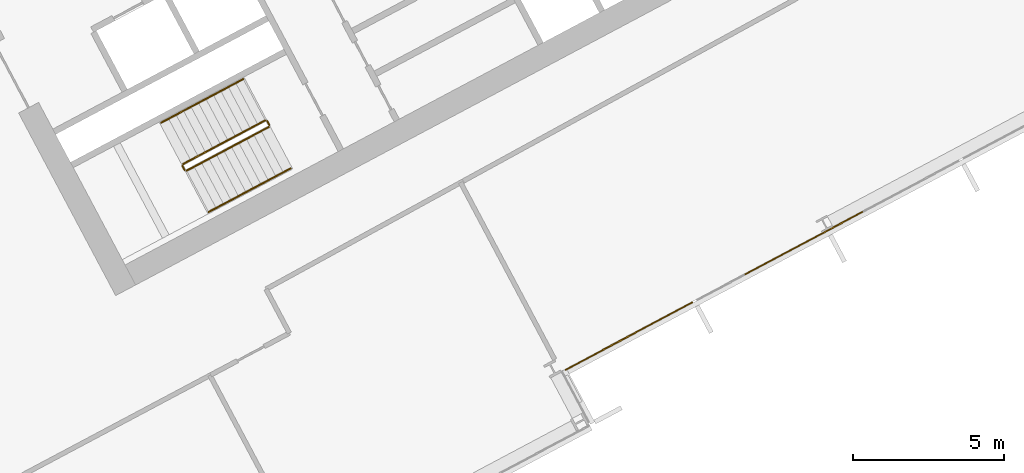
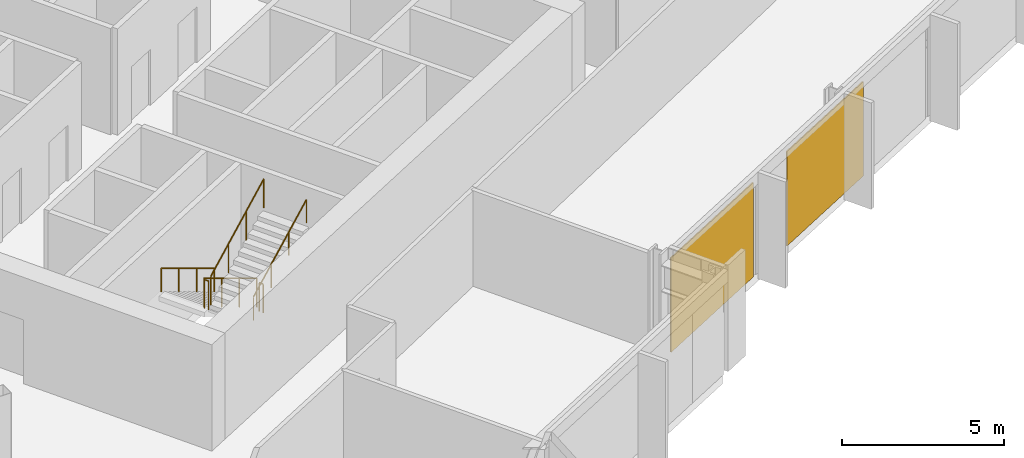
# One storey, part 25 of 28: 6 railings, 2 coverings, 1 element without a shape of its own.
"""IFC4 building model written with IfcOpenShell, lengths in metres."""

import ifcopenshell
import ifcopenshell.guid

model = None  # the IFC model being written
_history = None  # IfcOwnerHistory: only IFC2X3 demands one
_inside = {}  # id of a spatial element -> (the spatial element, [elements in it])
_under = {}  # id of a project, library or spatial element -> (it, [spatial elements below it])
_declared = {}  # id of a project -> (the project, [libraries it declares])
_typed = {}  # id of a type object -> (the type object, [elements of that type])
_made_of = {}  # id of a material, layer set ... -> (it, [elements and type objects made of it])


def new_model(schema):
    """Start an empty IFC model of exactly this schema.

    Asked for "IFC4X3", IfcOpenShell would pick the latest addendum, in which some entities
    have other attributes; the version numbers below select the first issue.
    IFC2X3 requires an IfcOwnerHistory on every rooted entity: one is made here for all.
    """
    global model, _history
    if schema == "IFC4X3":
        model = ifcopenshell.file(schema_version=(4, 3, 0, 0))
    else:
        model = ifcopenshell.file(schema=schema)
    _inside.clear()
    _under.clear()
    _declared.clear()
    _typed.clear()
    _made_of.clear()
    _history = None
    if model.schema == "IFC2X3":
        org = make("IfcOrganization", Name="unknown")
        user = make(
            "IfcPersonAndOrganization",
            ThePerson=make("IfcPerson", FamilyName="unknown"),
            TheOrganization=org,
        )
        app = make(
            "IfcApplication",
            ApplicationDeveloper=org,
            Version="unknown",
            ApplicationFullName="unknown",
            ApplicationIdentifier="unknown",
        )
        _history = make(
            "IfcOwnerHistory",
            OwningUser=user,
            OwningApplication=app,
            ChangeAction="ADDED",
            CreationDate=0,
        )
    return model


def make(cls, **values):
    """One entity of the class cls with the attributes given. An attribute that is None is left unset."""
    return model.create_entity(
        cls, **{name: value for name, value in values.items() if value is not None}
    )


def rooted(cls, **values):
    """An entity with a GlobalId (a new one), such as an element, a storey or a relation."""
    return make(cls, GlobalId=ifcopenshell.guid.new(), OwnerHistory=_history, **values)


def si_unit(unit_type, name, prefix=None):
    """IfcSIUnit, for example si_unit("LENGTHUNIT", "METRE", prefix="MILLI")."""
    return make("IfcSIUnit", UnitType=unit_type, Prefix=prefix, Name=name)


def assignment(units):
    """IfcUnitAssignment: the units of a project."""
    return None if units is None else make("IfcUnitAssignment", Units=units)


def point(xyz):
    """IfcCartesianPoint."""
    return None if xyz is None else make("IfcCartesianPoint", Coordinates=xyz)


def direction(xyz):
    """IfcDirection."""
    return None if xyz is None else make("IfcDirection", DirectionRatios=xyz)


def frame(location, z_axis=None, x_axis=None):
    """IfcAxis2Placement3D, a coordinate frame: its origin and axes. An axis left out is left unset."""
    return make(
        "IfcAxis2Placement3D",
        Location=point(location),
        Axis=direction(z_axis),
        RefDirection=direction(x_axis),
    )


def frame_2d(location, x_axis=None):
    """IfcAxis2Placement2D, a coordinate frame in the plane: its origin and x axis."""
    return make(
        "IfcAxis2Placement2D", Location=point(location), RefDirection=direction(x_axis)
    )


def origin():
    """The frame at (0, 0, 0) with its axes left unset."""
    return frame((0.0, 0.0, 0.0))


def origin_2d():
    """The frame at (0, 0) in the plane with its x axis left unset."""
    return frame_2d((0.0, 0.0))


def place(relative_to, where):
    """IfcLocalPlacement: puts the frame where relative to a parent placement (None: the world)."""
    return make(
        "IfcLocalPlacement", PlacementRelTo=relative_to, RelativePlacement=where
    )


def context(
    kind, dimensions, precision=None, world=None, true_north=None, identifier=None
):
    """IfcGeometricRepresentationContext, for example the 3D "Model" context."""
    return make(
        "IfcGeometricRepresentationContext",
        ContextIdentifier=identifier,
        ContextType=kind,
        CoordinateSpaceDimension=dimensions,
        Precision=precision,
        WorldCoordinateSystem=world,
        TrueNorth=true_north,
    )


def subcontext(parent, identifier, kind, view, scale=None):
    """IfcGeometricRepresentationSubContext, for example "Body" below "Model"."""
    return make(
        "IfcGeometricRepresentationSubContext",
        ContextIdentifier=identifier,
        ContextType=kind,
        ParentContext=parent,
        TargetScale=scale,
        TargetView=view,
    )


def project(units=None, contexts=None):
    """IfcProject with its units and contexts."""
    return rooted(
        "IfcProject",
        Name="project",
        RepresentationContexts=contexts,
        UnitsInContext=assignment(units),
    )


def spatial(cls, under=None, at=None, **own):
    """A site, building, storey or space (cls), placed at a placement, below another one or the project."""
    s = rooted(cls, ObjectPlacement=at, **own)
    if under is not None:
        _under.setdefault(under.id(), (under, []))[1].append(s)
    return s


def polyline(points):
    """IfcPolyline through the points."""
    return make("IfcPolyline", Points=[point(p) for p in points])


def profile(cls, at=None, kind="AREA", **sizes):
    """A parametric profile (cls). Its sizes go by their IFC names, for example OverallWidth=200.0."""
    return make(cls, ProfileType=kind, Position=at, **sizes)


def rectangle(**sizes):
    """IfcRectangleProfileDef."""
    return profile("IfcRectangleProfileDef", **sizes)


def outline(outer, holes=None, kind="AREA"):
    """IfcArbitraryClosedProfileDef: a profile drawn as a closed curve; with holes, ...WithVoids."""
    if holes is None:
        return make("IfcArbitraryClosedProfileDef", ProfileType=kind, OuterCurve=outer)
    return make(
        "IfcArbitraryProfileDefWithVoids",
        ProfileType=kind,
        OuterCurve=outer,
        InnerCurves=holes,
    )


def extrude(swept, where, along, depth):
    """IfcExtrudedAreaSolid: the profile swept, set in the frame where, extruded along a direction by depth."""
    return make(
        "IfcExtrudedAreaSolid",
        SweptArea=swept,
        Position=where,
        ExtrudedDirection=direction(along),
        Depth=depth,
    )


def shape(context_of_items, identifier, shape_type, items):
    """IfcShapeRepresentation: the items that make up one representation, for example the "Body"."""
    return make(
        "IfcShapeRepresentation",
        ContextOfItems=context_of_items,
        RepresentationIdentifier=identifier,
        RepresentationType=shape_type,
        Items=items,
    )


def material(Name=None, Category=None):
    """IfcMaterial."""
    return make("IfcMaterial", Name=Name, Category=Category)


def layer(
    of_material, thickness, ventilated=None, Name=None, Category=None, Priority=None
):
    """IfcMaterialLayer: one layer of a wall or slab, of a material (None: an air gap)."""
    return make(
        "IfcMaterialLayer",
        Material=of_material,
        LayerThickness=thickness,
        IsVentilated=ventilated,
        Name=Name,
        Category=Category,
        Priority=Priority,
    )


def layer_set(layers, Name=None):
    """IfcMaterialLayerSet."""
    return make("IfcMaterialLayerSet", MaterialLayers=layers, LayerSetName=Name)


def made_of(thing, what):
    """Note that an element or type object is made of a material, layer set ...; save() writes the relation."""
    if what is not None:
        _made_of.setdefault(what.id(), (what, []))[1].append(thing)
    return thing


def type_object(cls, material=None, **own):
    """A type object (cls), such as IfcWallType, which elements share."""
    return made_of(rooted(cls, **own), material)


def element(
    cls,
    number,
    at=None,
    inside=None,
    cuts=None,
    type_object=None,
    material=None,
    context=None,
    identifier="Body",
    shape_type=None,
    held_by="IfcProductDefinitionShape",
    body=None,
    shapes=None,
    **own,
):
    """One element of the class cls, such as IfcWall. Its Tag is "e" and its number.

    at: its placement. inside: the storey or other place that contains it. cuts: it is an
    opening in that element (IfcRelVoidsElement). A single representation is given by context,
    identifier, shape_type and body (its items); several are given by shapes. held_by: the class
    of the entity that holds the representations. save() writes the other relations.
    """
    e = rooted(cls, Tag="e%d" % number, ObjectPlacement=at, **own)
    if body is not None:
        shapes = [shape(context, identifier, shape_type, body)]
    if shapes is not None:
        e.Representation = make(held_by, Representations=shapes)
    if inside is not None:
        _inside.setdefault(inside.id(), (inside, []))[1].append(e)
    if cuts is not None:
        rooted(
            "IfcRelVoidsElement", RelatingBuildingElement=cuts, RelatedOpeningElement=e
        )
    if type_object is not None:
        _typed.setdefault(type_object.id(), (type_object, []))[1].append(e)
    return made_of(e, material)


def aggregate(whole, parts):
    """IfcRelAggregates: a whole, such as a stair, and the parts it consists of."""
    return rooted("IfcRelAggregates", RelatingObject=whole, RelatedObjects=parts)


def save(model, path):
    """Write the relations noted so far, then the file.

    IfcRelAggregates (storeys below a building ...), IfcRelContainedInSpatialStructure (elements
    in a storey), IfcRelDefinesByType, IfcRelAssociatesMaterial and IfcRelDeclares: one each for
    every whole, place, type object, material and project.
    """
    for whole, parts in _under.values():
        aggregate(whole, parts)
    for where, things in _inside.values():
        rooted(
            "IfcRelContainedInSpatialStructure",
            RelatedElements=things,
            RelatingStructure=where,
        )
    for kind, things in _typed.values():
        rooted("IfcRelDefinesByType", RelatedObjects=things, RelatingType=kind)
    for what, things in _made_of.values():
        rooted("IfcRelAssociatesMaterial", RelatedObjects=things, RelatingMaterial=what)
    for by, libraries in _declared.values():
        rooted("IfcRelDeclares", RelatingContext=by, RelatedDefinitions=libraries)
    model.write(path)


model = new_model("IFC4")

# Units and contexts
model_context = context("Model", 3, precision=1e-05, world=origin(), true_north=direction((0.0, 1.0)))
body_context = subcontext(model_context, "Body", "Model", "MODEL_VIEW")
ifc_project = project(units=[si_unit("LENGTHUNIT", "METRE"), si_unit("AREAUNIT", "SQUARE_METRE"), si_unit("VOLUMEUNIT", "CUBIC_METRE"), si_unit("PLANEANGLEUNIT", "RADIAN"), si_unit("MASSUNIT", "GRAM", prefix="KILO")], contexts=[model_context])

# Site, building, storey
site_placement = place(None, origin())
site = spatial("IfcSite", under=ifc_project, at=site_placement, CompositionType="ELEMENT")
building_placement = place(site_placement, origin())
building = spatial("IfcBuilding", under=site, at=building_placement, Name="Cormorant Relay Tower", CompositionType="ELEMENT")
storey_placement = place(building_placement, frame((0.0, 0.0, 174.199951171875)))
storey = spatial("IfcBuildingStorey", under=building, at=storey_placement, Name="L37", CompositionType="ELEMENT", Elevation=174.199951171875)

# Curtain wall, coverings
ifc_material_1 = material(Name="Aluminium 6063-T6 anodised bronze", Category="aluminium")
ifc_layer_1 = layer(ifc_material_1, 0.199951171875)
ifc_layer_set_1 = layer_set([ifc_layer_1], Name="CW1 unitised bronze curtain wall with vertical fins")
curtain_wall_type = type_object("IfcCurtainWallType", Name="CW1 unitised bronze curtain wall with vertical fins", PredefinedType="NOTDEFINED", material=ifc_layer_set_1)
curtain_wall_placement = place(storey_placement, origin())
curtain_wall = element("IfcCurtainWall", 1, at=curtain_wall_placement, inside=storey, type_object=curtain_wall_type, Name="CW1 curtain wall 4", PredefinedType="NOTDEFINED")
ifc_material_2 = material(Name="Pale bronze anodised aluminium insulated panel", Category="aluminium")
ifc_layer_2 = layer(ifc_material_2, 0.0400390625)
ifc_layer_set_2 = layer_set([ifc_layer_2], Name="CW1 pale bronze insulated panel 40")
covering_type = type_object("IfcCoveringType", Name="CW1 pale bronze insulated panel 40", PredefinedType="CLADDING", material=ifc_layer_set_2)
covering_1_placement = place(storey_placement, frame((35.892333984375, -2.457275390625, 0.0), z_axis=(0.0, 0.0, 1.0), x_axis=(0.882947592859, 0.469471562786, 0.0)))
covering_1 = element("IfcCovering", 2, at=covering_1_placement, type_object=covering_type, Name="CW1 panel S00", PredefinedType="CLADDING", context=body_context, shape_type="SweptSolid", body=[
    extrude(rectangle(XDim=4.77490234375, YDim=0.0400390625, at=origin_2d()), origin(), (0.0, 0.0, 1.0), 3.550048828125),
])
covering_2_placement = place(storey_placement, frame((41.686767578125, 0.623779296875, 0.0), z_axis=(0.0, 0.0, 1.0), x_axis=(0.882947592859, 0.469471562786, 0.0)))
covering_2 = element("IfcCovering", 3, at=covering_2_placement, type_object=covering_type, Name="CW1 panel S02", PredefinedType="CLADDING", context=body_context, shape_type="SweptSolid", body=[
    extrude(rectangle(XDim=4.449951171875, YDim=0.0400390625, at=origin_2d()), origin(), (0.0, 0.0, 1.0), 3.550048828125),
])
aggregate(curtain_wall, [covering_1, covering_2])

# Railings
ifc_material_3 = material(Name="Steel ASTM A572 Grade 50 (Fy 345 MPa)", Category="steel")
railing_type_1 = type_object("IfcRailingType", Name="Stair guard 1100", PredefinedType="GUARDRAIL", material=ifc_material_3)
railing_1_placement = place(storey_placement, frame((23.83837890625, 4.6904296875, 0.166748046875)))
element("IfcRailing", 4, at=railing_1_placement, inside=storey, type_object=railing_type_1, Name="L37 B1 stair guard 1", PredefinedType="GUARDRAIL", context=body_context, shape_type="SweptSolid", body=[
    extrude(outline(polyline([(0.022216796875, 0.00927734375), (0.00927734375, 0.022216796875), (-0.00927734375, 0.022216796875), (-0.022216796875, 0.00927734375), (-0.022216796875, -0.00927734375), (-0.00927734375, -0.022216796875), (0.00927734375, -0.022216796875), (0.022216796875, -0.00927734375), (0.022216796875, 0.00927734375)])), frame((0.0, 0.0, 1.076171875), z_axis=(-0.758713656843, -0.403434867536, 0.511462505542), x_axis=(0.469489399267, -0.882938108802, 0.0)), (0.0, 0.0, 1.0), 3.584228515625),
    extrude(outline(polyline([(0.019287109375, 0.008056640625), (0.008056640625, 0.019287109375), (-0.008056640625, 0.019287109375), (-0.019287109375, 0.008056640625), (-0.019287109375, -0.008056640625), (-0.008056640625, -0.019287109375), (0.008056640625, -0.019287109375), (0.019287109375, -0.008056640625), (0.019287109375, 0.008056640625)])), origin(), (0.0, 0.0, 1.0), 1.052001953125),
    extrude(outline(polyline([(0.019287109375, 0.008056640625), (0.008056640625, 0.019287109375), (-0.008056640625, 0.019287109375), (-0.019287109375, 0.008056640625), (-0.019287109375, -0.008056640625), (-0.008056640625, -0.019287109375), (0.008056640625, -0.019287109375), (0.019287109375, -0.008056640625), (0.019287109375, 0.008056640625)])), frame((-0.906494140625, -0.48193359375, 0.611083984375)), (0.0, 0.0, 1.0), 1.052001953125),
    extrude(outline(polyline([(0.019287109375, 0.008056640625), (0.008056640625, 0.019287109375), (-0.008056640625, 0.019287109375), (-0.019287109375, 0.008056640625), (-0.019287109375, -0.008056640625), (-0.008056640625, -0.019287109375), (0.008056640625, -0.019287109375), (0.019287109375, -0.008056640625), (0.019287109375, 0.008056640625)])), frame((-1.81298828125, -0.964111328125, 1.22216796875)), (0.0, 0.0, 1.0), 1.052001953125),
    extrude(outline(polyline([(0.019287109375, 0.008056640625), (0.008056640625, 0.019287109375), (-0.008056640625, 0.019287109375), (-0.019287109375, 0.008056640625), (-0.019287109375, -0.008056640625), (-0.008056640625, -0.019287109375), (0.008056640625, -0.019287109375), (0.019287109375, -0.008056640625), (0.019287109375, 0.008056640625)])), frame((-2.719482421875, -1.446044921875, 1.833251953125)), (0.0, 0.0, 1.0), 1.052001953125),
])
railing_2_placement = place(storey_placement, frame((21.09814453125, 3.1767578125, 2.0)))
element("IfcRailing", 5, at=railing_2_placement, inside=storey, type_object=railing_type_1, Name="L37 B1 stair guard 2", PredefinedType="GUARDRAIL", context=body_context, shape_type="SweptSolid", body=[
    extrude(outline(polyline([(0.022216796875, 0.00927734375), (0.00927734375, 0.022216796875), (-0.00927734375, 0.022216796875), (-0.022216796875, 0.00927734375), (-0.022216796875, -0.00927734375), (-0.00927734375, -0.022216796875), (0.00927734375, -0.022216796875), (0.022216796875, -0.00927734375), (0.022216796875, 0.00927734375)])), frame((0.0, 0.0, 1.076171875), z_axis=(0.469234640946, -0.883073525669, 0.0), x_axis=(0.883073525669, 0.469234640946, 0.0)), (0.0, 0.0, 1.0), 0.14990234375),
    extrude(outline(polyline([(0.019287109375, 0.008056640625), (0.008056640625, 0.019287109375), (-0.008056640625, 0.019287109375), (-0.019287109375, 0.008056640625), (-0.019287109375, -0.008056640625), (-0.008056640625, -0.019287109375), (0.008056640625, -0.019287109375), (0.019287109375, -0.008056640625), (0.019287109375, 0.008056640625)])), origin(), (0.0, 0.0, 1.0), 1.052001953125),
    extrude(outline(polyline([(0.019287109375, 0.008056640625), (0.008056640625, 0.019287109375), (-0.008056640625, 0.019287109375), (-0.019287109375, 0.008056640625), (-0.019287109375, -0.008056640625), (-0.008056640625, -0.019287109375), (0.008056640625, -0.019287109375), (0.019287109375, -0.008056640625), (0.019287109375, 0.008056640625)])), frame((0.0703125, -0.13232421875, 0.0)), (0.0, 0.0, 1.0), 1.052001953125),
])
railing_3_placement = place(storey_placement, frame((21.236083984375, 3.023681640625, 2.166748046875)))
element("IfcRailing", 6, at=railing_3_placement, inside=storey, type_object=railing_type_1, Name="L37 B1 stair guard 3", PredefinedType="GUARDRAIL", context=body_context, shape_type="SweptSolid", body=[
    extrude(outline(polyline([(0.022216796875, 0.00927734375), (0.00927734375, 0.022216796875), (-0.00927734375, 0.022216796875), (-0.022216796875, 0.00927734375), (-0.022216796875, -0.00927734375), (-0.00927734375, -0.022216796875), (0.00927734375, -0.022216796875), (0.022216796875, -0.00927734375), (0.022216796875, 0.00927734375)])), frame((0.0, 0.0, 1.076171875), z_axis=(0.758713656843, 0.403434867536, 0.511462505542), x_axis=(-0.469489399267, 0.882938108802, 0.0)), (0.0, 0.0, 1.0), 3.584228515625),
    extrude(outline(polyline([(0.019287109375, 0.008056640625), (0.008056640625, 0.019287109375), (-0.008056640625, 0.019287109375), (-0.019287109375, 0.008056640625), (-0.019287109375, -0.008056640625), (-0.008056640625, -0.019287109375), (0.008056640625, -0.019287109375), (0.019287109375, -0.008056640625), (0.019287109375, 0.008056640625)])), origin(), (0.0, 0.0, 1.0), 1.052001953125),
    extrude(outline(polyline([(0.019287109375, 0.008056640625), (0.008056640625, 0.019287109375), (-0.008056640625, 0.019287109375), (-0.019287109375, 0.008056640625), (-0.019287109375, -0.008056640625), (-0.008056640625, -0.019287109375), (0.008056640625, -0.019287109375), (0.019287109375, -0.008056640625), (0.019287109375, 0.008056640625)])), frame((0.906494140625, 0.48193359375, 0.611083984375)), (0.0, 0.0, 1.0), 1.052001953125),
    extrude(outline(polyline([(0.019287109375, 0.008056640625), (0.008056640625, 0.019287109375), (-0.008056640625, 0.019287109375), (-0.019287109375, 0.008056640625), (-0.019287109375, -0.008056640625), (-0.008056640625, -0.019287109375), (0.008056640625, -0.019287109375), (0.019287109375, -0.008056640625), (0.019287109375, 0.008056640625)])), frame((1.81298828125, 0.964111328125, 1.22216796875)), (0.0, 0.0, 1.0), 1.052001953125),
    extrude(outline(polyline([(0.019287109375, 0.008056640625), (0.008056640625, 0.019287109375), (-0.008056640625, 0.019287109375), (-0.019287109375, 0.008056640625), (-0.019287109375, -0.008056640625), (-0.008056640625, -0.019287109375), (0.008056640625, -0.019287109375), (0.019287109375, -0.008056640625), (0.019287109375, 0.008056640625)])), frame((2.719482421875, 1.446044921875, 1.833251953125)), (0.0, 0.0, 1.0), 1.052001953125),
])
railing_4_placement = place(storey_placement, frame((23.906005859375, 4.669677734375, 0.0)))
element("IfcRailing", 7, at=railing_4_placement, inside=storey, type_object=railing_type_1, Name="L37 B1 stair guard 4", PredefinedType="GUARDRAIL", context=body_context, shape_type="SweptSolid", body=[
    extrude(outline(polyline([(0.022216796875, 0.00927734375), (0.00927734375, 0.022216796875), (-0.00927734375, 0.022216796875), (-0.022216796875, 0.00927734375), (-0.022216796875, -0.00927734375), (-0.00927734375, -0.022216796875), (0.00927734375, -0.022216796875), (0.022216796875, -0.00927734375), (0.022216796875, 0.00927734375)])), frame((0.0, 0.0, 1.076171875), z_axis=(0.469234640946, -0.883073525669, 0.0), x_axis=(0.883073525669, 0.469234640946, 0.0)), (0.0, 0.0, 1.0), 0.14990234375),
    extrude(outline(polyline([(0.019287109375, 0.008056640625), (0.008056640625, 0.019287109375), (-0.008056640625, 0.019287109375), (-0.019287109375, 0.008056640625), (-0.019287109375, -0.008056640625), (-0.008056640625, -0.019287109375), (0.008056640625, -0.019287109375), (0.019287109375, -0.008056640625), (0.019287109375, 0.008056640625)])), origin(), (0.0, 0.0, 1.0), 1.052001953125),
    extrude(outline(polyline([(0.019287109375, 0.008056640625), (0.008056640625, 0.019287109375), (-0.008056640625, 0.019287109375), (-0.019287109375, 0.008056640625), (-0.019287109375, -0.008056640625), (-0.008056640625, -0.019287109375), (0.008056640625, -0.019287109375), (0.019287109375, -0.008056640625), (0.019287109375, 0.008056640625)])), frame((0.0703125, -0.13232421875, 0.0)), (0.0, 0.0, 1.0), 1.052001953125),
])
ifc_material_4 = material(Name="Steel ASTM A572 Grade 50 (Fy 345 MPa)", Category="steel")
railing_type_2 = type_object("IfcRailingType", Name="Stair handrail 900", PredefinedType="HANDRAIL", material=ifc_material_4)
railing_5_placement = place(storey_placement, frame((23.110595703125, 6.05908203125, 0.166748046875)))
element("IfcRailing", 8, at=railing_5_placement, inside=storey, type_object=railing_type_2, Name="L37 B1 stair handrail 1", PredefinedType="HANDRAIL", context=body_context, shape_type="SweptSolid", body=[
    extrude(outline(polyline([(0.022216796875, 0.00927734375), (0.00927734375, 0.022216796875), (-0.00927734375, 0.022216796875), (-0.022216796875, 0.00927734375), (-0.022216796875, -0.00927734375), (-0.00927734375, -0.022216796875), (0.00927734375, -0.022216796875), (0.022216796875, -0.00927734375), (0.022216796875, 0.00927734375)])), frame((0.0, 0.0, 0.8759765625), z_axis=(-0.758713656843, -0.403434867536, 0.511462505542), x_axis=(0.469489399267, -0.882938108802, 0.0)), (0.0, 0.0, 1.0), 3.584228515625),
    extrude(outline(polyline([(0.019287109375, 0.008056640625), (0.008056640625, 0.019287109375), (-0.008056640625, 0.019287109375), (-0.019287109375, 0.008056640625), (-0.019287109375, -0.008056640625), (-0.008056640625, -0.019287109375), (0.008056640625, -0.019287109375), (0.019287109375, -0.008056640625), (0.019287109375, 0.008056640625)])), origin(), (0.0, 0.0, 1.0), 0.851806640625),
    extrude(outline(polyline([(0.019287109375, 0.008056640625), (0.008056640625, 0.019287109375), (-0.008056640625, 0.019287109375), (-0.019287109375, 0.008056640625), (-0.019287109375, -0.008056640625), (-0.008056640625, -0.019287109375), (0.008056640625, -0.019287109375), (0.019287109375, -0.008056640625), (0.019287109375, 0.008056640625)])), frame((-0.906494140625, -0.48193359375, 0.611083984375)), (0.0, 0.0, 1.0), 0.851806640625),
    extrude(outline(polyline([(0.019287109375, 0.008056640625), (0.008056640625, 0.019287109375), (-0.008056640625, 0.019287109375), (-0.019287109375, 0.008056640625), (-0.019287109375, -0.008056640625), (-0.008056640625, -0.019287109375), (0.008056640625, -0.019287109375), (0.019287109375, -0.008056640625), (0.019287109375, 0.008056640625)])), frame((-1.81298828125, -0.964111328125, 1.22216796875)), (0.0, 0.0, 1.0), 0.851806640625),
    extrude(outline(polyline([(0.019287109375, 0.008056640625), (0.008056640625, 0.019287109375), (-0.008056640625, 0.019287109375), (-0.019287109375, 0.008056640625), (-0.019287109375, -0.008056640625), (-0.008056640625, -0.019287109375), (0.008056640625, -0.019287109375), (0.019287109375, -0.008056640625), (0.019287109375, 0.008056640625)])), frame((-2.719482421875, -1.446044921875, 1.833251953125)), (0.0, 0.0, 1.0), 0.851806640625),
])
railing_6_placement = place(storey_placement, frame((21.9638671875, 1.6552734375, 2.166748046875)))
element("IfcRailing", 9, at=railing_6_placement, inside=storey, type_object=railing_type_2, Name="L37 B1 stair handrail 2", PredefinedType="HANDRAIL", context=body_context, shape_type="SweptSolid", body=[
    extrude(outline(polyline([(0.022216796875, 0.00927734375), (0.00927734375, 0.022216796875), (-0.00927734375, 0.022216796875), (-0.022216796875, 0.00927734375), (-0.022216796875, -0.00927734375), (-0.00927734375, -0.022216796875), (0.00927734375, -0.022216796875), (0.022216796875, -0.00927734375), (0.022216796875, 0.00927734375)])), frame((0.0, 0.0, 0.8759765625), z_axis=(0.758734504837, 0.403377838015, 0.511476559549), x_axis=(-0.469427602063, 0.882970965786, 0.0)), (0.0, 0.0, 1.0), 3.584228515625),
    extrude(outline(polyline([(0.019287109375, 0.008056640625), (0.008056640625, 0.019287109375), (-0.008056640625, 0.019287109375), (-0.019287109375, 0.008056640625), (-0.019287109375, -0.008056640625), (-0.008056640625, -0.019287109375), (0.008056640625, -0.019287109375), (0.019287109375, -0.008056640625), (0.019287109375, 0.008056640625)])), origin(), (0.0, 0.0, 1.0), 0.851806640625),
    extrude(outline(polyline([(0.019287109375, 0.008056640625), (0.008056640625, 0.019287109375), (-0.008056640625, 0.019287109375), (-0.019287109375, 0.008056640625), (-0.019287109375, -0.008056640625), (-0.008056640625, -0.019287109375), (0.008056640625, -0.019287109375), (0.019287109375, -0.008056640625), (0.019287109375, 0.008056640625)])), frame((0.906494140625, 0.48193359375, 0.611083984375)), (0.0, 0.0, 1.0), 0.851806640625),
    extrude(outline(polyline([(0.019287109375, 0.008056640625), (0.008056640625, 0.019287109375), (-0.008056640625, 0.019287109375), (-0.019287109375, 0.008056640625), (-0.019287109375, -0.008056640625), (-0.008056640625, -0.019287109375), (0.008056640625, -0.019287109375), (0.019287109375, -0.008056640625), (0.019287109375, 0.008056640625)])), frame((1.81298828125, 0.9638671875, 1.22216796875)), (0.0, 0.0, 1.0), 0.851806640625),
    extrude(outline(polyline([(0.019287109375, 0.008056640625), (0.008056640625, 0.019287109375), (-0.008056640625, 0.019287109375), (-0.019287109375, 0.008056640625), (-0.019287109375, -0.008056640625), (-0.008056640625, -0.019287109375), (0.008056640625, -0.019287109375), (0.019287109375, -0.008056640625), (0.019287109375, 0.008056640625)])), frame((2.719482421875, 1.44580078125, 1.833251953125)), (0.0, 0.0, 1.0), 0.851806640625),
])

save(model, "model.ifc")
